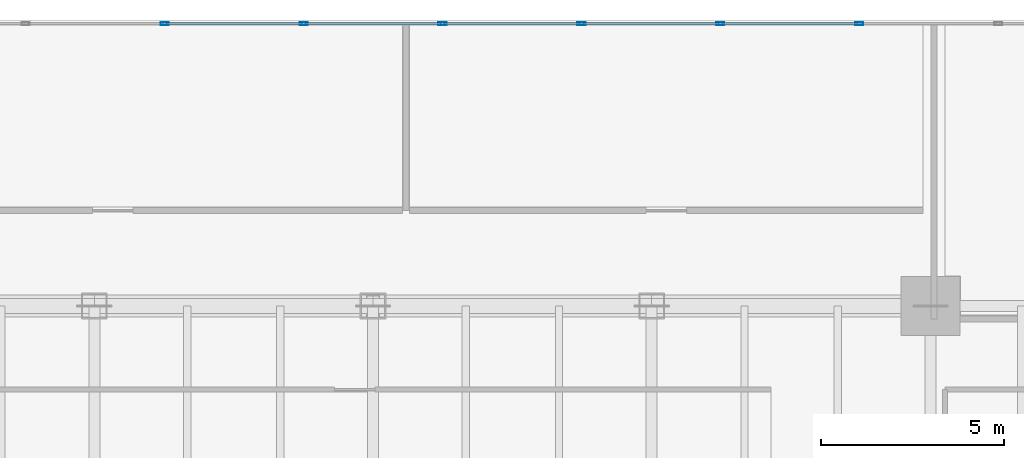
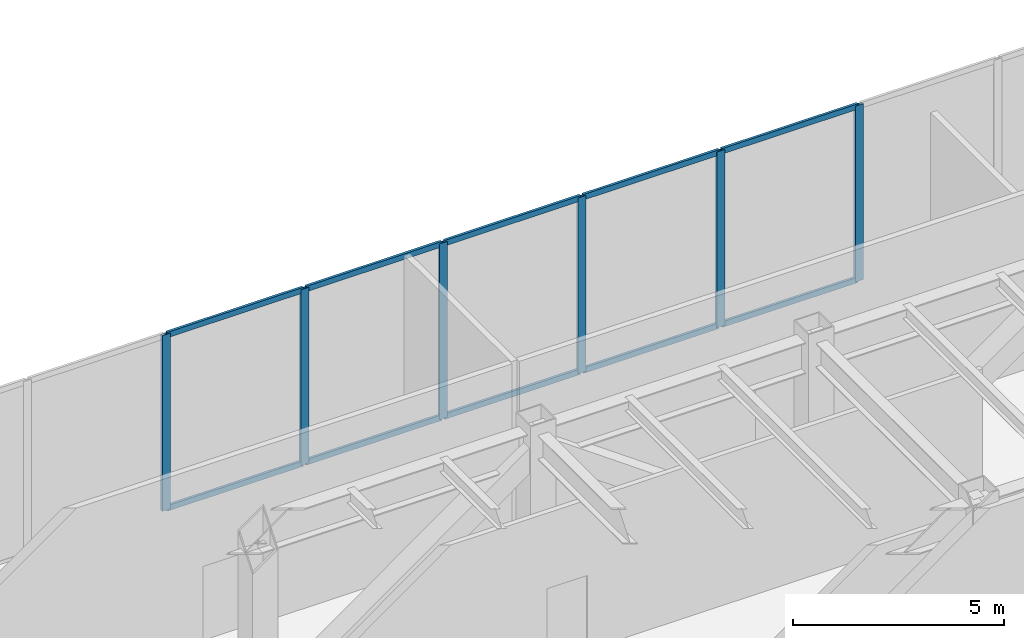
# One storey, part 17 of 35: 16 members, 1 element without a shape of its own.
"""IFC4 building model written with IfcOpenShell, lengths in metres."""

from ifc_helpers import new_model, si_unit, direction, frame, origin, origin_2d, place, context, subcontext, project, spatial, hollow_rectangle, extrude, source, transform, mapped, material, layer, layer_set, material_profile, profile_set, type_object, type_shapes, element, aggregate, save


model = new_model("IFC4")

# Units and contexts
model_context = context("Model", 3, precision=1e-05, world=origin(), true_north=direction((0.0, 1.0)))
body_context = subcontext(model_context, "Body", "Model", "MODEL_VIEW")
ifc_project = project(units=[si_unit("LENGTHUNIT", "METRE"), si_unit("AREAUNIT", "SQUARE_METRE"), si_unit("VOLUMEUNIT", "CUBIC_METRE"), si_unit("PLANEANGLEUNIT", "RADIAN"), si_unit("MASSUNIT", "GRAM", prefix="KILO")], contexts=[model_context])

# Site, building, storey
site_placement = place(None, origin())
site = spatial("IfcSite", under=ifc_project, at=site_placement, CompositionType="ELEMENT")
building_placement = place(site_placement, origin())
building = spatial("IfcBuilding", under=site, at=building_placement, Name="Haelvirn Gate Laboratories", CompositionType="ELEMENT")
storey_placement = place(building_placement, frame((0.0, 0.0, 19.800048828125)))
storey = spatial("IfcBuildingStorey", under=building, at=storey_placement, Name="L05", CompositionType="ELEMENT", Elevation=19.800048828125)

# Curtain wall, members
ifc_material_1 = material(Name="Anodised bronze unitised aluminium & triple low-E glass", Category="aluminium")
ifc_layer = layer(ifc_material_1, 0.18798828125, Name="CW-SYS-1")
ifc_layer_set = layer_set([ifc_layer], Name="Anodised bronze unitised aluminium & triple low-E glass")
curtain_wall_type = type_object("IfcCurtainWallType", Name="CW-SYS-1", PredefinedType="NOTDEFINED", material=ifc_layer_set)
curtain_wall_placement = place(storey_placement, origin())
curtain_wall = element("IfcCurtainWall", 1, at=curtain_wall_placement, inside=storey, type_object=curtain_wall_type, Name="L05 Unitised Curtain Wall CW-L05-P0-E06-1", PredefinedType="NOTDEFINED")
ifc_material_2 = material(Name="Extruded aluminium 6063-T6 (anodised bronze)", Category="aluminium")
ifc_material_profile_1 = material_profile(ifc_material_2, hollow_rectangle(XDim=0.080078125, YDim=0.219970703125, WallThickness=0.006103515625, at=origin_2d()), Name="CWM-220x80x6")
ifc_profile_set_1 = profile_set([ifc_material_profile_1], Name="Extruded aluminium 6063-T6 (anodised bronze)")
member_type_1 = type_object("IfcMemberType", Name="CWM-T220", PredefinedType="MULLION", material=ifc_profile_set_1)
shared_shape_1 = source(origin(), body_context, "Body", "SweptSolid", [
    extrude(hollow_rectangle(XDim=0.080078125, YDim=0.219970703125, WallThickness=0.006103515625, at=origin_2d()), origin(), (0.0, 0.0, 1.0), 5.079833984375),
])
type_shapes(member_type_1, [shared_shape_1])
member_1_placement = place(storey_placement, frame((31.7158203125, 49.300048828125, 0.0), z_axis=(0.0, 0.0, 1.0), x_axis=(0.0, 1.0, 0.0)))
member_1 = element("IfcMember", 2, at=member_1_placement, type_object=member_type_1, Name="CW1 mullion 9", PredefinedType="MULLION", context=body_context, shape_type="MappedRepresentation", body=[
    mapped(shared_shape_1, transform((0.0, 0.0, 0.0), scale=1.0)),
])
member_2_placement = place(storey_placement, frame((35.50537109375, 49.300048828125, 0.0), z_axis=(0.0, 0.0, 1.0), x_axis=(0.0, 1.0, 0.0)))
member_2 = element("IfcMember", 3, at=member_2_placement, type_object=member_type_1, Name="CW1 mullion 10", PredefinedType="MULLION", context=body_context, shape_type="MappedRepresentation", body=[
    mapped(shared_shape_1, transform((0.0, 0.0, 0.0), scale=1.0)),
])
member_3_placement = place(storey_placement, frame((39.294677734375, 49.300048828125, 0.0), z_axis=(0.0, 0.0, 1.0), x_axis=(0.0, 1.0, 0.0)))
member_3 = element("IfcMember", 4, at=member_3_placement, type_object=member_type_1, Name="CW1 mullion 11", PredefinedType="MULLION", context=body_context, shape_type="MappedRepresentation", body=[
    mapped(shared_shape_1, transform((0.0, 0.0, 0.0), scale=1.0)),
])
member_4_placement = place(storey_placement, frame((43.084228515625, 49.300048828125, 0.0), z_axis=(0.0, 0.0, 1.0), x_axis=(0.0, 1.0, 0.0)))
member_4 = element("IfcMember", 5, at=member_4_placement, type_object=member_type_1, Name="CW1 mullion 12", PredefinedType="MULLION", context=body_context, shape_type="MappedRepresentation", body=[
    mapped(shared_shape_1, transform((0.0, 0.0, 0.0), scale=1.0)),
])
member_5_placement = place(storey_placement, frame((46.873779296875, 49.300048828125, 0.0), z_axis=(0.0, 0.0, 1.0), x_axis=(0.0, 1.0, 0.0)))
member_5 = element("IfcMember", 6, at=member_5_placement, type_object=member_type_1, Name="CW1 mullion 13", PredefinedType="MULLION", context=body_context, shape_type="MappedRepresentation", body=[
    mapped(shared_shape_1, transform((0.0, 0.0, 0.0), scale=1.0)),
])
member_6_placement = place(storey_placement, frame((50.6630859375, 49.300048828125, 0.0), z_axis=(0.0, 0.0, 1.0), x_axis=(0.0, 1.0, 0.0)))
member_6 = element("IfcMember", 7, at=member_6_placement, type_object=member_type_1, Name="CW1 mullion 14", PredefinedType="MULLION", context=body_context, shape_type="MappedRepresentation", body=[
    mapped(shared_shape_1, transform((0.0, 0.0, 0.0), scale=1.0)),
])
ifc_material_profile_2 = material_profile(ifc_material_2, hollow_rectangle(XDim=0.070068359375, YDim=0.159912109375, WallThickness=0.0048828125, at=origin_2d()), Name="CWT-160x70x5")
ifc_profile_set_2 = profile_set([ifc_material_profile_2], Name="Extruded aluminium 6063-T6 (anodised bronze)")
member_type_2 = type_object("IfcMemberType", Name="CWT-T160", PredefinedType="USERDEFINED", material=ifc_profile_set_2)
shared_shape_2 = source(origin(), body_context, "Body", "SweptSolid", [
    extrude(hollow_rectangle(XDim=0.070068359375, YDim=0.159912109375, WallThickness=0.0048828125, at=origin_2d()), origin(), (0.0, 0.0, 1.0), 3.70947265625),
])
type_shapes(member_type_2, [shared_shape_2])
member_7_placement = place(storey_placement, frame((31.755859375, 49.300048828125, 0.034912109375), z_axis=(1.0, 0.0, 0.0), x_axis=(0.0, 1.0, 0.0)))
member_7 = element("IfcMember", 8, at=member_7_placement, type_object=member_type_2, Name="CW1 transom 9.1", ObjectType="TRANSOM", PredefinedType="USERDEFINED", context=body_context, shape_type="MappedRepresentation", body=[
    mapped(shared_shape_2, transform((0.0, 0.0, 0.0), scale=1.0)),
])
member_8_placement = place(storey_placement, frame((31.755859375, 49.300048828125, 5.044921875), z_axis=(1.0, 0.0, 0.0), x_axis=(0.0, 1.0, 0.0)))
member_8 = element("IfcMember", 9, at=member_8_placement, type_object=member_type_2, Name="CW1 transom 9.2", ObjectType="TRANSOM", PredefinedType="USERDEFINED", context=body_context, shape_type="MappedRepresentation", body=[
    mapped(shared_shape_2, transform((0.0, 0.0, 0.0), scale=1.0)),
])
member_9_placement = place(storey_placement, frame((35.545166015625, 49.300048828125, 0.034912109375), z_axis=(1.0, 0.0, 0.0), x_axis=(0.0, 1.0, 0.0)))
member_9 = element("IfcMember", 10, at=member_9_placement, type_object=member_type_2, Name="CW1 transom 10.1", ObjectType="TRANSOM", PredefinedType="USERDEFINED", context=body_context, shape_type="MappedRepresentation", body=[
    mapped(shared_shape_2, transform((0.0, 0.0, 0.0), scale=1.0)),
])
member_10_placement = place(storey_placement, frame((35.545166015625, 49.300048828125, 5.044921875), z_axis=(1.0, 0.0, 0.0), x_axis=(0.0, 1.0, 0.0)))
member_10 = element("IfcMember", 11, at=member_10_placement, type_object=member_type_2, Name="CW1 transom 10.2", ObjectType="TRANSOM", PredefinedType="USERDEFINED", context=body_context, shape_type="MappedRepresentation", body=[
    mapped(shared_shape_2, transform((0.0, 0.0, 0.0), scale=1.0)),
])
member_11_placement = place(storey_placement, frame((39.334716796875, 49.300048828125, 0.034912109375), z_axis=(1.0, 0.0, 0.0), x_axis=(0.0, 1.0, 0.0)))
member_11 = element("IfcMember", 12, at=member_11_placement, type_object=member_type_2, Name="CW1 transom 11.1", ObjectType="TRANSOM", PredefinedType="USERDEFINED", context=body_context, shape_type="MappedRepresentation", body=[
    mapped(shared_shape_2, transform((0.0, 0.0, 0.0), scale=1.0)),
])
member_12_placement = place(storey_placement, frame((39.334716796875, 49.300048828125, 5.044921875), z_axis=(1.0, 0.0, 0.0), x_axis=(0.0, 1.0, 0.0)))
member_12 = element("IfcMember", 13, at=member_12_placement, type_object=member_type_2, Name="CW1 transom 11.2", ObjectType="TRANSOM", PredefinedType="USERDEFINED", context=body_context, shape_type="MappedRepresentation", body=[
    mapped(shared_shape_2, transform((0.0, 0.0, 0.0), scale=1.0)),
])
member_13_placement = place(storey_placement, frame((43.124267578125, 49.300048828125, 0.034912109375), z_axis=(1.0, 0.0, 0.0), x_axis=(0.0, 1.0, 0.0)))
member_13 = element("IfcMember", 14, at=member_13_placement, type_object=member_type_2, Name="CW1 transom 12.1", ObjectType="TRANSOM", PredefinedType="USERDEFINED", context=body_context, shape_type="MappedRepresentation", body=[
    mapped(shared_shape_2, transform((0.0, 0.0, 0.0), scale=1.0)),
])
member_14_placement = place(storey_placement, frame((43.124267578125, 49.300048828125, 5.044921875), z_axis=(1.0, 0.0, 0.0), x_axis=(0.0, 1.0, 0.0)))
member_14 = element("IfcMember", 15, at=member_14_placement, type_object=member_type_2, Name="CW1 transom 12.2", ObjectType="TRANSOM", PredefinedType="USERDEFINED", context=body_context, shape_type="MappedRepresentation", body=[
    mapped(shared_shape_2, transform((0.0, 0.0, 0.0), scale=1.0)),
])
member_15_placement = place(storey_placement, frame((46.91357421875, 49.300048828125, 0.034912109375), z_axis=(1.0, 0.0, 0.0), x_axis=(0.0, 1.0, 0.0)))
member_15 = element("IfcMember", 16, at=member_15_placement, type_object=member_type_2, Name="CW1 transom 13.1", ObjectType="TRANSOM", PredefinedType="USERDEFINED", context=body_context, shape_type="MappedRepresentation", body=[
    mapped(shared_shape_2, transform((0.0, 0.0, 0.0), scale=1.0)),
])
member_16_placement = place(storey_placement, frame((46.91357421875, 49.300048828125, 5.044921875), z_axis=(1.0, 0.0, 0.0), x_axis=(0.0, 1.0, 0.0)))
member_16 = element("IfcMember", 17, at=member_16_placement, type_object=member_type_2, Name="CW1 transom 13.2", ObjectType="TRANSOM", PredefinedType="USERDEFINED", context=body_context, shape_type="MappedRepresentation", body=[
    mapped(shared_shape_2, transform((0.0, 0.0, 0.0), scale=1.0)),
])
aggregate(curtain_wall, [member_1, member_2, member_3, member_4, member_5, member_6, member_7, member_8, member_9, member_10, member_11, member_12, member_13, member_14, member_15, member_16])

save(model, "model.ifc")
